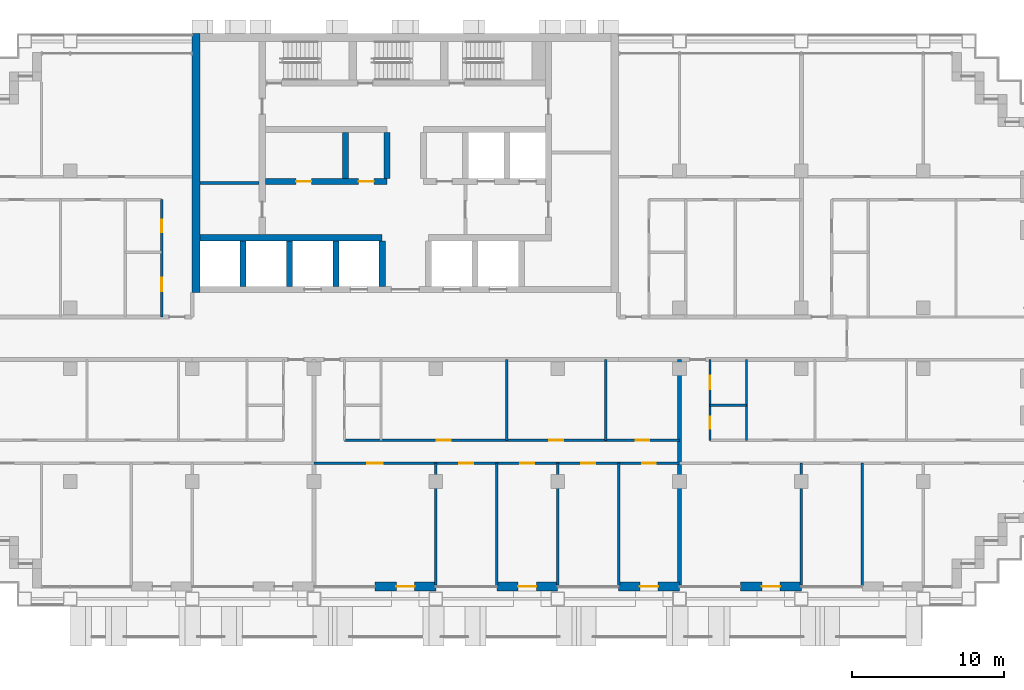
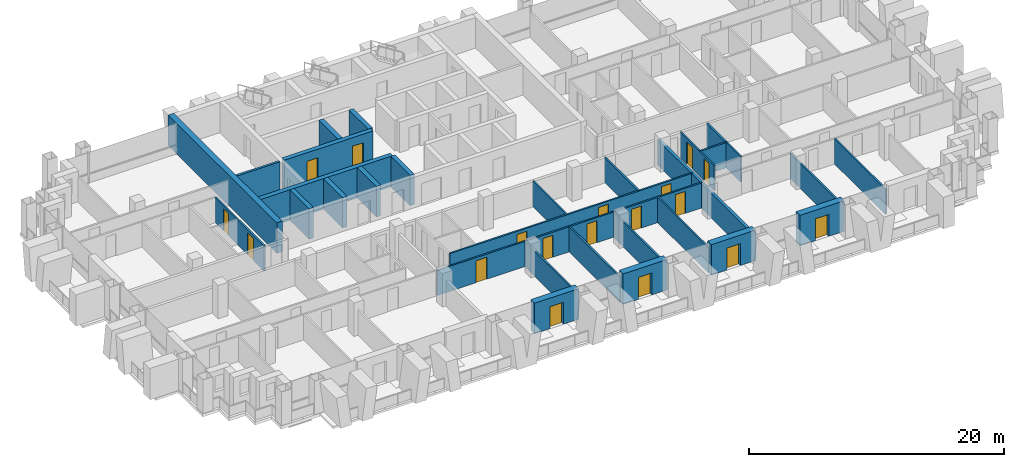
# One storey, part 10 of 17: 29 walls, 18 doors, 18 openings.
"""IFC4 building model written with IfcOpenShell, lengths in metres."""

from ifc_helpers import new_model, si_unit, direction, frame, frame_2d, origin, place, context, subcontext, project, spatial, rectangle, extrude, material, layer, layer_set, type_object, element, fill, save


model = new_model("IFC4")

# Units and contexts
model_context = context("Model", 3, precision=1e-05, world=origin(), true_north=direction((0.0, 1.0)))
body_context = subcontext(model_context, "Body", "Model", "MODEL_VIEW")
ifc_project = project(units=[si_unit("LENGTHUNIT", "METRE"), si_unit("AREAUNIT", "SQUARE_METRE"), si_unit("VOLUMEUNIT", "CUBIC_METRE"), si_unit("PLANEANGLEUNIT", "RADIAN"), si_unit("MASSUNIT", "GRAM", prefix="KILO")], contexts=[model_context])

# Site, building, storey
site_placement = place(None, origin())
site = spatial("IfcSite", under=ifc_project, at=site_placement, CompositionType="ELEMENT")
building_placement = place(site_placement, origin())
building = spatial("IfcBuilding", under=site, at=building_placement, Name="Vidyagriha Tower", CompositionType="ELEMENT")
storey_placement = place(building_placement, frame((0.0, 0.0, 96.699951171875)))
storey = spatial("IfcBuildingStorey", under=building, at=storey_placement, Name="L25", CompositionType="ELEMENT", Elevation=96.699951171875)

# Wall, opening, door
ifc_material_1 = material(Name="Precast concrete C40/50 with brick facing", Category="concrete")
ifc_layer_1 = layer(ifc_material_1, 0.60009765625)
ifc_layer_set_1 = layer_set([ifc_layer_1], Name="Precast concrete C40/50 with brick facing")
wall_type_1 = type_object("IfcWallType", Name="Brick-faced precast wall 600", PredefinedType="STANDARD", material=ifc_layer_set_1)
wall_1_placement = place(storey_placement, frame((-2.0, -16.300048828125, 0.0)))
wall_1 = element("IfcWall", 1, at=wall_1_placement, inside=storey, type_object=wall_type_1, Name="Brick door bay wall L25 R23.7", PredefinedType="STANDARD", context=body_context, shape_type="SweptSolid", body=[
    extrude(rectangle(XDim=4.0, YDim=0.60009765625, at=frame_2d((2.0, 0.0))), origin(), (0.0, 0.0, 1.0), 2.920166015625),
])
opening_1_placement = place(wall_1_placement, frame((1.39990234375, 0.0, 0.0)))
opening_1 = element("IfcOpeningElement", 2, at=opening_1_placement, cuts=wall_1, Name="Opening D25-70", PredefinedType="OPENING", context=body_context, shape_type="SweptSolid", body=[
    extrude(rectangle(XDim=1.199951171875, YDim=2.10009765625, at=frame_2d((0.60009765625, 1.050048828125))), frame((0.0, 0.31005859375, 0.0), z_axis=(0.0, -1.0, 0.0), x_axis=(1.0, 0.0, 0.0)), (0.0, 0.0, 1.0), 0.6201171875),
])
ifc_material_2 = material(Name="Aluminium framed glazed sliding door", Category="aluminium")
door_type_1 = type_object("IfcDoorType", Name="Balcony sliding door 1200x2100", OperationType="NOTDEFINED", PredefinedType="DOOR", material=ifc_material_2)
door_1_placement = place(opening_1_placement, origin())
door_1 = element("IfcDoor", 3, at=door_1_placement, inside=storey, type_object=door_type_1, Name="Door D25-70", OperationType="SLIDING_TO_LEFT", OverallHeight=2.10009765625, OverallWidth=1.199951171875, PredefinedType="DOOR", context=body_context, shape_type="SweptSolid", body=[
    extrude(rectangle(XDim=1.199951171875, YDim=2.10009765625, at=frame_2d((0.60009765625, 1.050048828125))), frame((0.0, 0.02490234375, 0.0), z_axis=(0.0, -1.0, 0.0), x_axis=(1.0, 0.0, 0.0)), (0.0, 0.0, 1.0), 0.050048828125),
])
fill(opening_1, door_1)

wall_2_placement = place(storey_placement, frame((6.0, -16.300048828125, 0.0)))
wall_2 = element("IfcWall", 4, at=wall_2_placement, inside=storey, type_object=wall_type_1, Name="Brick door bay wall L25 R23.9", PredefinedType="STANDARD", context=body_context, shape_type="SweptSolid", body=[
    extrude(rectangle(XDim=4.0, YDim=0.60009765625, at=frame_2d((2.0, 0.0))), origin(), (0.0, 0.0, 1.0), 2.920166015625),
])
opening_2_placement = place(wall_2_placement, frame((1.39990234375, 0.0, 0.0)))
opening_2 = element("IfcOpeningElement", 5, at=opening_2_placement, cuts=wall_2, Name="Opening D25-71", PredefinedType="OPENING", context=body_context, shape_type="SweptSolid", body=[
    extrude(rectangle(XDim=1.199951171875, YDim=2.10009765625, at=frame_2d((0.60009765625, 1.050048828125))), frame((0.0, 0.31005859375, 0.0), z_axis=(0.0, -1.0, 0.0), x_axis=(1.0, 0.0, 0.0)), (0.0, 0.0, 1.0), 0.6201171875),
])
door_2_placement = place(opening_2_placement, origin())
door_2 = element("IfcDoor", 6, at=door_2_placement, inside=storey, type_object=door_type_1, Name="Door D25-71", OperationType="SLIDING_TO_LEFT", OverallHeight=2.10009765625, OverallWidth=1.199951171875, PredefinedType="DOOR", context=body_context, shape_type="SweptSolid", body=[
    extrude(rectangle(XDim=1.199951171875, YDim=2.10009765625, at=frame_2d((0.60009765625, 1.050048828125))), frame((0.0, 0.02490234375, 0.0), z_axis=(0.0, -1.0, 0.0), x_axis=(1.0, 0.0, 0.0)), (0.0, 0.0, 1.0), 0.050048828125),
])
fill(opening_2, door_2)

wall_3_placement = place(storey_placement, frame((14.0, -16.300048828125, 0.0)))
wall_3 = element("IfcWall", 7, at=wall_3_placement, inside=storey, type_object=wall_type_1, Name="Brick door bay wall L25 R23.11", PredefinedType="STANDARD", context=body_context, shape_type="SweptSolid", body=[
    extrude(rectangle(XDim=4.0, YDim=0.60009765625, at=frame_2d((2.0, 0.0))), origin(), (0.0, 0.0, 1.0), 2.920166015625),
])
opening_3_placement = place(wall_3_placement, frame((1.39990234375, 0.0, 0.0)))
opening_3 = element("IfcOpeningElement", 8, at=opening_3_placement, cuts=wall_3, Name="Opening D25-72", PredefinedType="OPENING", context=body_context, shape_type="SweptSolid", body=[
    extrude(rectangle(XDim=1.199951171875, YDim=2.10009765625, at=frame_2d((0.60009765625, 1.050048828125))), frame((0.0, 0.31005859375, 0.0), z_axis=(0.0, -1.0, 0.0), x_axis=(1.0, 0.0, 0.0)), (0.0, 0.0, 1.0), 0.6201171875),
])
door_3_placement = place(opening_3_placement, origin())
door_3 = element("IfcDoor", 9, at=door_3_placement, inside=storey, type_object=door_type_1, Name="Door D25-72", OperationType="SLIDING_TO_LEFT", OverallHeight=2.10009765625, OverallWidth=1.199951171875, PredefinedType="DOOR", context=body_context, shape_type="SweptSolid", body=[
    extrude(rectangle(XDim=1.199951171875, YDim=2.10009765625, at=frame_2d((0.60009765625, 1.050048828125))), frame((0.0, 0.02490234375, 0.0), z_axis=(0.0, -1.0, 0.0), x_axis=(1.0, 0.0, 0.0)), (0.0, 0.0, 1.0), 0.050048828125),
])
fill(opening_3, door_3)

wall_4_placement = place(storey_placement, frame((22.0, -16.300048828125, 0.0)))
wall_4 = element("IfcWall", 10, at=wall_4_placement, inside=storey, type_object=wall_type_1, Name="Brick door bay wall L25 R23.13", PredefinedType="STANDARD", context=body_context, shape_type="SweptSolid", body=[
    extrude(rectangle(XDim=4.0, YDim=0.60009765625, at=frame_2d((2.0, 0.0))), origin(), (0.0, 0.0, 1.0), 2.920166015625),
])
opening_4_placement = place(wall_4_placement, frame((1.39990234375, 0.0, 0.0)))
opening_4 = element("IfcOpeningElement", 11, at=opening_4_placement, cuts=wall_4, Name="Opening D25-73", PredefinedType="OPENING", context=body_context, shape_type="SweptSolid", body=[
    extrude(rectangle(XDim=1.199951171875, YDim=2.10009765625, at=frame_2d((0.60009765625, 1.050048828125))), frame((0.0, 0.31005859375, 0.0), z_axis=(0.0, -1.0, 0.0), x_axis=(1.0, 0.0, 0.0)), (0.0, 0.0, 1.0), 0.6201171875),
])
door_4_placement = place(opening_4_placement, origin())
door_4 = element("IfcDoor", 12, at=door_4_placement, inside=storey, type_object=door_type_1, Name="Door D25-73", OperationType="SLIDING_TO_LEFT", OverallHeight=2.10009765625, OverallWidth=1.199951171875, PredefinedType="DOOR", context=body_context, shape_type="SweptSolid", body=[
    extrude(rectangle(XDim=1.199951171875, YDim=2.10009765625, at=frame_2d((0.60009765625, 1.050048828125))), frame((0.0, 0.02490234375, 0.0), z_axis=(0.0, -1.0, 0.0), x_axis=(1.0, 0.0, 0.0)), (0.0, 0.0, 1.0), 0.050048828125),
])
fill(opening_4, door_4)

# Walls
ifc_material_3 = material(Name="Concrete C60/75", Category="concrete")
ifc_layer_2 = layer(ifc_material_3, 0.39990234375)
ifc_layer_set_2 = layer_set([ifc_layer_2], Name="Concrete C60/75")
wall_type_2 = type_object("IfcWallType", Name="Core shear wall 400 mm", PredefinedType="SHEAR", material=ifc_layer_set_2)
wall_5_placement = place(storey_placement, frame((-13.5, 6.60009765625, 0.0)))
element("IfcWall", 13, at=wall_5_placement, inside=storey, type_object=wall_type_2, Name="Core lobby south wall west", PredefinedType="SHEAR", context=body_context, shape_type="SweptSolid", body=[
    extrude(rectangle(XDim=11.977783203125, YDim=0.39990234375, at=frame_2d((5.98876953125, 0.0))), origin(), (0.0, 0.0, 1.0), 2.920166015625),
])
for number, where, z_axis, x_axis, name in (
    (14, (-10.655517578125, 3.39990234375, 0.0), (0.0, 0.0, 1.0), (0.0, 1.0, 0.0), "Core bay wall S1"),
    (15, (-7.611083984375, 3.39990234375, 0.0), (0.0, 0.0, 1.0), (0.0, 1.0, 0.0), "Core bay wall S2"),
    (16, (-4.566650390625, 3.39990234375, 0.0), (0.0, 0.0, 1.0), (0.0, 1.0, 0.0), "Core bay wall S3"),
    (17, (-1.522216796875, 3.39990234375, 0.0), (0.0, 0.0, 1.0), (0.0, 1.0, 0.0), "Core bay wall S4"),
):
    element("IfcWall", number, at=place(storey_placement, frame(where, z_axis=z_axis, x_axis=x_axis)), inside=storey, type_object=wall_type_2, Name=name, PredefinedType="SHEAR", context=body_context, shape_type="SweptSolid", body=[
        extrude(rectangle(XDim=3.0, YDim=0.39990234375, at=frame_2d((1.5, 0.0))), origin(), (0.0, 0.0, 1.0), 2.920166015625),
    ])

# Wall, openings, doors
wall_6_placement = place(storey_placement, frame((-9.199951171875, 10.300048828125, 0.0)))
wall_6 = element("IfcWall", 18, at=wall_6_placement, inside=storey, type_object=wall_type_2, Name="Core row N front wall", PredefinedType="SHEAR", context=body_context, shape_type="SweptSolid", body=[
    extrude(rectangle(XDim=8.0, YDim=0.39990234375, at=frame_2d((4.0, 0.0))), origin(), (0.0, 0.0, 1.0), 2.920166015625),
])
opening_5_placement = place(wall_6_placement, frame((2.033203125, 0.0, 0.0)))
opening_5 = element("IfcOpeningElement", 19, at=opening_5_placement, cuts=wall_6, Name="Opening D25-02", PredefinedType="OPENING", context=body_context, shape_type="SweptSolid", body=[
    extrude(rectangle(XDim=1.0, YDim=2.10009765625, at=frame_2d((0.5, 1.050048828125))), frame((0.0, 0.2099609375, 0.0), z_axis=(0.0, -1.0, 0.0), x_axis=(1.0, 0.0, 0.0)), (0.0, 0.0, 1.0), 0.419921875),
])
opening_6_placement = place(wall_6_placement, frame((6.13330078125, 0.0, 0.0)))
opening_6 = element("IfcOpeningElement", 20, at=opening_6_placement, cuts=wall_6, Name="Opening D25-03", PredefinedType="OPENING", context=body_context, shape_type="SweptSolid", body=[
    extrude(rectangle(XDim=1.0, YDim=2.10009765625, at=frame_2d((0.5, 1.050048828125))), frame((0.0, 0.2099609375, 0.0), z_axis=(0.0, -1.0, 0.0), x_axis=(1.0, 0.0, 0.0)), (0.0, 0.0, 1.0), 0.419921875),
])
ifc_material_4 = material(Name="Hollow metal door leaf")
door_type_2 = type_object("IfcDoorType", Name="Core room door 1000 x 2100 mm EI 60", OperationType="NOTDEFINED", PredefinedType="DOOR", material=ifc_material_4)
door_5_placement = place(opening_5_placement, frame((1.0, 0.0, 0.0), z_axis=(0.0, 0.0, 1.0), x_axis=(-1.0, 0.0, 0.0)))
door_5 = element("IfcDoor", 21, at=door_5_placement, inside=storey, type_object=door_type_2, Name="Door Switchgear Room 25.14", OperationType="SINGLE_SWING_RIGHT", OverallHeight=2.10009765625, OverallWidth=1.0, PredefinedType="DOOR", context=body_context, shape_type="SweptSolid", body=[
    extrude(rectangle(XDim=1.0, YDim=2.10009765625, at=frame_2d((0.5, 1.050048828125))), frame((0.0, 0.02490234375, 0.0), z_axis=(0.0, -1.0, 0.0), x_axis=(1.0, 0.0, 0.0)), (0.0, 0.0, 1.0), 0.050048828125),
])
fill(opening_5, door_5)
door_6_placement = place(opening_6_placement, frame((1.0, 0.0, 0.0), z_axis=(0.0, 0.0, 1.0), x_axis=(-1.0, 0.0, 0.0)))
door_6 = element("IfcDoor", 22, at=door_6_placement, inside=storey, type_object=door_type_2, Name="Door Storage Room 25.15", OperationType="SINGLE_SWING_LEFT", OverallHeight=2.10009765625, OverallWidth=1.0, PredefinedType="DOOR", context=body_context, shape_type="SweptSolid", body=[
    extrude(rectangle(XDim=1.0, YDim=2.10009765625, at=frame_2d((0.5, 1.050048828125))), frame((0.0, 0.02490234375, 0.0), z_axis=(0.0, -1.0, 0.0), x_axis=(1.0, 0.0, 0.0)), (0.0, 0.0, 1.0), 0.050048828125),
])
fill(opening_6, door_6)

# Walls
for number, where, z_axis, x_axis, name in (
    (23, (-3.933349609375, 10.5, 0.0), (0.0, 0.0, 1.0), (0.0, 1.0, 0.0), "Core bay wall N2"),
    (24, (-1.199951171875, 10.5, 0.0), (0.0, 0.0, 1.0), (0.0, 1.0, 0.0), "Core bay wall N3"),
):
    element("IfcWall", number, at=place(storey_placement, frame(where, z_axis=z_axis, x_axis=x_axis)), inside=storey, type_object=wall_type_2, Name=name, PredefinedType="SHEAR", context=body_context, shape_type="SweptSolid", body=[
        extrude(rectangle(XDim=3.0, YDim=0.39990234375, at=frame_2d((1.5, 0.0))), origin(), (0.0, 0.0, 1.0), 2.920166015625),
    ])
ifc_material_5 = material(Name="Concrete C60/75", Category="concrete")
ifc_layer_3 = layer(ifc_material_5, 0.5)
ifc_layer_set_3 = layer_set([ifc_layer_3], Name="Concrete C60/75")
wall_type_3 = type_object("IfcWallType", Name="Core shear wall 500 mm", PredefinedType="SHEAR", material=ifc_layer_set_3)
wall_7_placement = place(storey_placement, frame((-13.75, 3.0, 0.0), z_axis=(0.0, 0.0, 1.0), x_axis=(0.0, 1.0, 0.0)))
element("IfcWall", 25, at=wall_7_placement, inside=storey, type_object=wall_type_3, Name="Core west wall", PredefinedType="SHEAR", context=body_context, shape_type="SweptSolid", body=[
    extrude(rectangle(XDim=17.0, YDim=0.5, at=frame_2d((8.5, 0.0))), origin(), (0.0, 0.0, 1.0), 2.920166015625),
])
ifc_material_6 = material(Name="Fired clay brick masonry", Category="masonry")
ifc_layer_4 = layer(ifc_material_6, 0.25)
ifc_layer_set_4 = layer_set([ifc_layer_4], Name="Fired clay brick masonry")
wall_type_4 = type_object("IfcWallType", Name="Fired clay brick demising wall 250", PredefinedType="PARTITIONING", material=ifc_layer_set_4)
wall_8_placement = place(storey_placement, frame((18.0, -1.39990234375, 0.0), z_axis=(0.0, 0.0, 1.0), x_axis=(0.0, -1.0, 0.0)))
element("IfcWall", 26, at=wall_8_placement, inside=storey, type_object=wall_type_4, Name="Wall all-L25-w064", PredefinedType="PARTITIONING", context=body_context, shape_type="SweptSolid", body=[
    extrude(rectangle(XDim=14.81005859375, YDim=0.25, at=frame_2d((7.405029296875, 0.0))), origin(), (0.0, 0.0, 1.0), 2.400146484375),
])
ifc_material_7 = material(Name="Gypsum board partition")
ifc_layer_5 = layer(ifc_material_7, 0.14990234375)
ifc_layer_set_5 = layer_set([ifc_layer_5], Name="Gypsum board partition")
wall_type_5 = type_object("IfcWallType", Name="Gypsum board partition 150", PredefinedType="PARTITIONING", material=ifc_layer_set_5)
for number, where, z_axis, x_axis, name in (
    (27, (6.64990234375, -1.39990234375, 0.0), (0.0, 0.0, 1.0), (0.0, -1.0, 0.0), "Wall all-L25-w026"),
    (28, (13.14990234375, -1.39990234375, 0.0), (0.0, 0.0, 1.0), (0.0, -1.0, 0.0), "Wall all-L25-w027"),
):
    element("IfcWall", number, at=place(storey_placement, frame(where, z_axis=z_axis, x_axis=x_axis)), inside=storey, type_object=wall_type_5, Name=name, PredefinedType="PARTITIONING", context=body_context, shape_type="SweptSolid", body=[
        extrude(rectangle(XDim=5.300048828125, YDim=0.14990234375, at=frame_2d((2.64990234375, 0.0))), origin(), (0.0, 0.0, 1.0), 2.400146484375),
    ])

# Wall, openings, doors
wall_9_placement = place(storey_placement, frame((-4.0, -6.699951171875, 0.0)))
wall_9 = element("IfcWall", 29, at=wall_9_placement, inside=storey, type_object=wall_type_5, Name="Wall all-L25-w028", PredefinedType="PARTITIONING", context=body_context, shape_type="SweptSolid", body=[
    extrude(rectangle(XDim=22.0, YDim=0.14990234375, at=frame_2d((11.0, 0.0))), origin(), (0.0, 0.0, 1.0), 2.400146484375),
])
opening_7_placement = place(wall_9_placement, frame((6.074951171875, 0.0, 0.0)))
opening_7 = element("IfcOpeningElement", 30, at=opening_7_placement, cuts=wall_9, Name="Opening D25-25", PredefinedType="OPENING", context=body_context, shape_type="SweptSolid", body=[
    extrude(rectangle(XDim=0.89990234375, YDim=2.10009765625, at=frame_2d((0.449951171875, 1.050048828125))), frame((0.0, 0.0849609375, 0.0), z_axis=(0.0, -1.0, 0.0), x_axis=(1.0, 0.0, 0.0)), (0.0, 0.0, 1.0), 0.169921875),
])
opening_8_placement = place(wall_9_placement, frame((13.449951171875, 0.0, 0.0)))
opening_8 = element("IfcOpeningElement", 31, at=opening_8_placement, cuts=wall_9, Name="Opening D25-26", PredefinedType="OPENING", context=body_context, shape_type="SweptSolid", body=[
    extrude(rectangle(XDim=0.89990234375, YDim=2.10009765625, at=frame_2d((0.449951171875, 1.050048828125))), frame((0.0, 0.0849609375, 0.0), z_axis=(0.0, -1.0, 0.0), x_axis=(1.0, 0.0, 0.0)), (0.0, 0.0, 1.0), 0.169921875),
])
opening_9_placement = place(wall_9_placement, frame((19.125, 0.0, 0.0)))
opening_9 = element("IfcOpeningElement", 32, at=opening_9_placement, cuts=wall_9, Name="Opening D25-27", PredefinedType="OPENING", context=body_context, shape_type="SweptSolid", body=[
    extrude(rectangle(XDim=0.89990234375, YDim=2.10009765625, at=frame_2d((0.449951171875, 1.050048828125))), frame((0.0, 0.0849609375, 0.0), z_axis=(0.0, -1.0, 0.0), x_axis=(1.0, 0.0, 0.0)), (0.0, 0.0, 1.0), 0.169921875),
])
ifc_material_8 = material(Name="Timber door leaf", Category="wood")
door_type_3 = type_object("IfcDoorType", Name="Room door 900x2100", OperationType="NOTDEFINED", PredefinedType="DOOR", material=ifc_material_8)
door_7_placement = place(opening_7_placement, origin())
door_7 = element("IfcDoor", 33, at=door_7_placement, inside=storey, type_object=door_type_3, Name="Door D25-25", OperationType="SINGLE_SWING_RIGHT", OverallHeight=2.10009765625, OverallWidth=0.89990234375, PredefinedType="DOOR", context=body_context, shape_type="SweptSolid", body=[
    extrude(rectangle(XDim=0.89990234375, YDim=2.10009765625, at=frame_2d((0.449951171875, 1.050048828125))), frame((0.0, 0.02490234375, 0.0), z_axis=(0.0, -1.0, 0.0), x_axis=(1.0, 0.0, 0.0)), (0.0, 0.0, 1.0), 0.050048828125),
])
fill(opening_7, door_7)
door_8_placement = place(opening_8_placement, origin())
door_8 = element("IfcDoor", 34, at=door_8_placement, inside=storey, type_object=door_type_3, Name="Door D25-26", OperationType="SINGLE_SWING_RIGHT", OverallHeight=2.10009765625, OverallWidth=0.89990234375, PredefinedType="DOOR", context=body_context, shape_type="SweptSolid", body=[
    extrude(rectangle(XDim=0.89990234375, YDim=2.10009765625, at=frame_2d((0.449951171875, 1.050048828125))), frame((0.0, 0.02490234375, 0.0), z_axis=(0.0, -1.0, 0.0), x_axis=(1.0, 0.0, 0.0)), (0.0, 0.0, 1.0), 0.050048828125),
])
fill(opening_8, door_8)
door_9_placement = place(opening_9_placement, origin())
door_9 = element("IfcDoor", 35, at=door_9_placement, inside=storey, type_object=door_type_3, Name="Door D25-27", OperationType="SINGLE_SWING_LEFT", OverallHeight=2.10009765625, OverallWidth=0.89990234375, PredefinedType="DOOR", context=body_context, shape_type="SweptSolid", body=[
    extrude(rectangle(XDim=0.89990234375, YDim=2.10009765625, at=frame_2d((0.449951171875, 1.050048828125))), frame((0.0, 0.02490234375, 0.0), z_axis=(0.0, -1.0, 0.0), x_axis=(1.0, 0.0, 0.0)), (0.0, 0.0, 1.0), 0.050048828125),
])
fill(opening_9, door_9)

wall_10_placement = place(storey_placement, frame((18.0, -8.199951171875, 0.0), z_axis=(0.0, 0.0, 1.0), x_axis=(-1.0, 0.0, 0.0)))
wall_10 = element("IfcWall", 36, at=wall_10_placement, inside=storey, type_object=wall_type_5, Name="Wall all-L25-w032", PredefinedType="PARTITIONING", context=body_context, shape_type="SweptSolid", body=[
    extrude(rectangle(XDim=24.0, YDim=0.14990234375, at=frame_2d((12.0, 0.0))), origin(), (0.0, 0.0, 1.0), 2.400146484375),
])
opening_10_placement = place(wall_10_placement, frame((19.5, 0.0, 0.0)))
opening_10 = element("IfcOpeningElement", 37, at=opening_10_placement, cuts=wall_10, Name="Opening D25-28", PredefinedType="OPENING", context=body_context, shape_type="SweptSolid", body=[
    extrude(rectangle(XDim=1.0, YDim=2.10009765625, at=frame_2d((0.5, 1.050048828125))), frame((0.0, 0.0849609375, 0.0), z_axis=(0.0, -1.0, 0.0), x_axis=(1.0, 0.0, 0.0)), (0.0, 0.0, 1.0), 0.169921875),
])
opening_11_placement = place(wall_10_placement, frame((13.550048828125, 0.0, 0.0)))
opening_11 = element("IfcOpeningElement", 38, at=opening_11_placement, cuts=wall_10, Name="Opening D25-29", PredefinedType="OPENING", context=body_context, shape_type="SweptSolid", body=[
    extrude(rectangle(XDim=0.89990234375, YDim=2.10009765625, at=frame_2d((0.449951171875, 1.050048828125))), frame((0.0, 0.0849609375, 0.0), z_axis=(0.0, -1.0, 0.0), x_axis=(1.0, 0.0, 0.0)), (0.0, 0.0, 1.0), 0.169921875),
])
opening_12_placement = place(wall_10_placement, frame((9.550048828125, 0.0, 0.0)))
opening_12 = element("IfcOpeningElement", 39, at=opening_12_placement, cuts=wall_10, Name="Opening D25-30", PredefinedType="OPENING", context=body_context, shape_type="SweptSolid", body=[
    extrude(rectangle(XDim=0.89990234375, YDim=2.10009765625, at=frame_2d((0.449951171875, 1.050048828125))), frame((0.0, 0.0849609375, 0.0), z_axis=(0.0, -1.0, 0.0), x_axis=(1.0, 0.0, 0.0)), (0.0, 0.0, 1.0), 0.169921875),
])
opening_13_placement = place(wall_10_placement, frame((5.550048828125, 0.0, 0.0)))
opening_13 = element("IfcOpeningElement", 40, at=opening_13_placement, cuts=wall_10, Name="Opening D25-31", PredefinedType="OPENING", context=body_context, shape_type="SweptSolid", body=[
    extrude(rectangle(XDim=0.89990234375, YDim=2.10009765625, at=frame_2d((0.449951171875, 1.050048828125))), frame((0.0, 0.0849609375, 0.0), z_axis=(0.0, -1.0, 0.0), x_axis=(1.0, 0.0, 0.0)), (0.0, 0.0, 1.0), 0.169921875),
])
opening_14_placement = place(wall_10_placement, frame((1.550048828125, 0.0, 0.0)))
opening_14 = element("IfcOpeningElement", 41, at=opening_14_placement, cuts=wall_10, Name="Opening D25-32", PredefinedType="OPENING", context=body_context, shape_type="SweptSolid", body=[
    extrude(rectangle(XDim=0.89990234375, YDim=2.10009765625, at=frame_2d((0.449951171875, 1.050048828125))), frame((0.0, 0.0849609375, 0.0), z_axis=(0.0, -1.0, 0.0), x_axis=(1.0, 0.0, 0.0)), (0.0, 0.0, 1.0), 0.169921875),
])
ifc_material_9 = material(Name="Timber door leaf", Category="wood")
door_type_4 = type_object("IfcDoorType", Name="Room door 1000x2100", OperationType="NOTDEFINED", PredefinedType="DOOR", material=ifc_material_9)
door_10_placement = place(opening_10_placement, origin())
door_10 = element("IfcDoor", 42, at=door_10_placement, inside=storey, type_object=door_type_4, Name="Door D25-28", OperationType="SINGLE_SWING_RIGHT", OverallHeight=2.10009765625, OverallWidth=1.0, PredefinedType="DOOR", context=body_context, shape_type="SweptSolid", body=[
    extrude(rectangle(XDim=1.0, YDim=2.10009765625, at=frame_2d((0.5, 1.050048828125))), frame((0.0, 0.02490234375, 0.0), z_axis=(0.0, -1.0, 0.0), x_axis=(1.0, 0.0, 0.0)), (0.0, 0.0, 1.0), 0.050048828125),
])
fill(opening_10, door_10)
door_11_placement = place(opening_11_placement, origin())
door_11 = element("IfcDoor", 43, at=door_11_placement, inside=storey, type_object=door_type_3, Name="Door D25-29", OperationType="SINGLE_SWING_RIGHT", OverallHeight=2.10009765625, OverallWidth=0.89990234375, PredefinedType="DOOR", context=body_context, shape_type="SweptSolid", body=[
    extrude(rectangle(XDim=0.89990234375, YDim=2.10009765625, at=frame_2d((0.449951171875, 1.050048828125))), frame((0.0, 0.02490234375, 0.0), z_axis=(0.0, -1.0, 0.0), x_axis=(1.0, 0.0, 0.0)), (0.0, 0.0, 1.0), 0.050048828125),
])
fill(opening_11, door_11)
door_12_placement = place(opening_12_placement, origin())
door_12 = element("IfcDoor", 44, at=door_12_placement, inside=storey, type_object=door_type_3, Name="Door D25-30", OperationType="SINGLE_SWING_RIGHT", OverallHeight=2.10009765625, OverallWidth=0.89990234375, PredefinedType="DOOR", context=body_context, shape_type="SweptSolid", body=[
    extrude(rectangle(XDim=0.89990234375, YDim=2.10009765625, at=frame_2d((0.449951171875, 1.050048828125))), frame((0.0, 0.02490234375, 0.0), z_axis=(0.0, -1.0, 0.0), x_axis=(1.0, 0.0, 0.0)), (0.0, 0.0, 1.0), 0.050048828125),
])
fill(opening_12, door_12)
door_13_placement = place(opening_13_placement, origin())
door_13 = element("IfcDoor", 45, at=door_13_placement, inside=storey, type_object=door_type_3, Name="Door D25-31", OperationType="SINGLE_SWING_RIGHT", OverallHeight=2.10009765625, OverallWidth=0.89990234375, PredefinedType="DOOR", context=body_context, shape_type="SweptSolid", body=[
    extrude(rectangle(XDim=0.89990234375, YDim=2.10009765625, at=frame_2d((0.449951171875, 1.050048828125))), frame((0.0, 0.02490234375, 0.0), z_axis=(0.0, -1.0, 0.0), x_axis=(1.0, 0.0, 0.0)), (0.0, 0.0, 1.0), 0.050048828125),
])
fill(opening_13, door_13)
door_14_placement = place(opening_14_placement, origin())
door_14 = element("IfcDoor", 46, at=door_14_placement, inside=storey, type_object=door_type_3, Name="Door D25-32", OperationType="SINGLE_SWING_RIGHT", OverallHeight=2.10009765625, OverallWidth=0.89990234375, PredefinedType="DOOR", context=body_context, shape_type="SweptSolid", body=[
    extrude(rectangle(XDim=0.89990234375, YDim=2.10009765625, at=frame_2d((0.449951171875, 1.050048828125))), frame((0.0, 0.02490234375, 0.0), z_axis=(0.0, -1.0, 0.0), x_axis=(1.0, 0.0, 0.0)), (0.0, 0.0, 1.0), 0.050048828125),
])
fill(opening_14, door_14)

# Walls
wall_11_placement = place(storey_placement, frame((2.0, -8.199951171875, 0.0), z_axis=(0.0, 0.0, 1.0), x_axis=(0.0, -1.0, 0.0)))
element("IfcWall", 47, at=wall_11_placement, inside=storey, type_object=wall_type_5, Name="Wall all-L25-w038", PredefinedType="PARTITIONING", context=body_context, shape_type="SweptSolid", body=[
    extrude(rectangle(XDim=8.010009765625, YDim=0.14990234375, at=frame_2d((4.0048828125, 0.0))), origin(), (0.0, 0.0, 1.0), 2.400146484375),
])
wall_12_placement = place(storey_placement, frame((6.0, -8.199951171875, 0.0), z_axis=(0.0, 0.0, 1.0), x_axis=(0.0, -1.0, 0.0)))
element("IfcWall", 48, at=wall_12_placement, inside=storey, type_object=wall_type_5, Name="Wall all-L25-w039", PredefinedType="PARTITIONING", context=body_context, shape_type="SweptSolid", body=[
    extrude(rectangle(XDim=8.02099609375, YDim=0.14990234375, at=frame_2d((4.010498046875, 0.0))), origin(), (0.0, 0.0, 1.0), 2.400146484375),
])
wall_13_placement = place(storey_placement, frame((10.0, -8.199951171875, 0.0), z_axis=(0.0, 0.0, 1.0), x_axis=(0.0, -1.0, 0.0)))
element("IfcWall", 49, at=wall_13_placement, inside=storey, type_object=wall_type_5, Name="Wall all-L25-w040", PredefinedType="PARTITIONING", context=body_context, shape_type="SweptSolid", body=[
    extrude(rectangle(XDim=8.010009765625, YDim=0.14990234375, at=frame_2d((4.0048828125, 0.0))), origin(), (0.0, 0.0, 1.0), 2.400146484375),
])
wall_14_placement = place(storey_placement, frame((14.0, -8.199951171875, 0.0), z_axis=(0.0, 0.0, 1.0), x_axis=(0.0, -1.0, 0.0)))
element("IfcWall", 50, at=wall_14_placement, inside=storey, type_object=wall_type_5, Name="Wall all-L25-w041", PredefinedType="PARTITIONING", context=body_context, shape_type="SweptSolid", body=[
    extrude(rectangle(XDim=8.02099609375, YDim=0.14990234375, at=frame_2d((4.010498046875, 0.0))), origin(), (0.0, 0.0, 1.0), 2.400146484375),
])
wall_15_placement = place(storey_placement, frame((22.39990234375, -4.39990234375, 0.0), z_axis=(0.0, 0.0, 1.0), x_axis=(-1.0, 0.0, 0.0)))
element("IfcWall", 51, at=wall_15_placement, inside=storey, type_object=wall_type_5, Name="Wall all-L25-w047", PredefinedType="PARTITIONING", context=body_context, shape_type="SweptSolid", body=[
    extrude(rectangle(XDim=2.39990234375, YDim=0.14990234375, at=frame_2d((1.199951171875, 0.0))), origin(), (0.0, 0.0, 1.0), 2.400146484375),
])
wall_16_placement = place(storey_placement, frame((22.39990234375, -1.39990234375, 0.0), z_axis=(0.0, 0.0, 1.0), x_axis=(0.0, -1.0, 0.0)))
element("IfcWall", 52, at=wall_16_placement, inside=storey, type_object=wall_type_5, Name="Wall all-L25-w048", PredefinedType="PARTITIONING", context=body_context, shape_type="SweptSolid", body=[
    extrude(rectangle(XDim=5.300048828125, YDim=0.14990234375, at=frame_2d((2.64990234375, 0.0))), origin(), (0.0, 0.0, 1.0), 2.400146484375),
])
wall_17_placement = place(storey_placement, frame((26.0, -8.199951171875, 0.0), z_axis=(0.0, 0.0, 1.0), x_axis=(0.0, -1.0, 0.0)))
element("IfcWall", 53, at=wall_17_placement, inside=storey, type_object=wall_type_5, Name="Wall all-L25-w060", PredefinedType="PARTITIONING", context=body_context, shape_type="SweptSolid", body=[
    extrude(rectangle(XDim=8.010009765625, YDim=0.14990234375, at=frame_2d((4.0048828125, 0.0))), origin(), (0.0, 0.0, 1.0), 2.400146484375),
])
wall_18_placement = place(storey_placement, frame((30.0, -8.199951171875, 0.0), z_axis=(0.0, 0.0, 1.0), x_axis=(0.0, -1.0, 0.0)))
element("IfcWall", 54, at=wall_18_placement, inside=storey, type_object=wall_type_5, Name="Wall all-L25-w061", PredefinedType="PARTITIONING", context=body_context, shape_type="SweptSolid", body=[
    extrude(rectangle(XDim=8.02099609375, YDim=0.14990234375, at=frame_2d((4.010498046875, 0.0))), origin(), (0.0, 0.0, 1.0), 2.400146484375),
])

# Wall, openings, doors
ifc_material_10 = material(Name="Moisture resistant gypsum board partition")
ifc_layer_6 = layer(ifc_material_10, 0.14990234375)
ifc_layer_set_6 = layer_set([ifc_layer_6], Name="Moisture resistant gypsum board partition")
wall_type_6 = type_object("IfcWallType", Name="Gypsum board wet-area partition 150", PredefinedType="PARTITIONING", material=ifc_layer_set_6)
wall_19_placement = place(storey_placement, frame((20.0, -1.39990234375, 0.0), z_axis=(0.0, 0.0, 1.0), x_axis=(0.0, -1.0, 0.0)))
wall_19 = element("IfcWall", 55, at=wall_19_placement, inside=storey, type_object=wall_type_6, Name="Wall all-L25-w044", PredefinedType="PARTITIONING", context=body_context, shape_type="SweptSolid", body=[
    extrude(rectangle(XDim=5.300048828125, YDim=0.14990234375, at=frame_2d((2.64990234375, 0.0))), origin(), (0.0, 0.0, 1.0), 2.400146484375),
])
opening_15_placement = place(wall_19_placement, frame((1.050048828125, 0.0, 0.0)))
opening_15 = element("IfcOpeningElement", 56, at=opening_15_placement, cuts=wall_19, Name="Opening D25-34", PredefinedType="OPENING", context=body_context, shape_type="SweptSolid", body=[
    extrude(rectangle(XDim=0.89990234375, YDim=2.10009765625, at=frame_2d((0.449951171875, 1.050048828125))), frame((0.0, 0.0849609375, 0.0), z_axis=(0.0, -1.0, 0.0), x_axis=(1.0, 0.0, 0.0)), (0.0, 0.0, 1.0), 0.169921875),
])
opening_16_placement = place(wall_19_placement, frame((3.75, 0.0, 0.0)))
opening_16 = element("IfcOpeningElement", 57, at=opening_16_placement, cuts=wall_19, Name="Opening D25-35", PredefinedType="OPENING", context=body_context, shape_type="SweptSolid", body=[
    extrude(rectangle(XDim=0.800048828125, YDim=2.10009765625, at=frame_2d((0.39990234375, 1.050048828125))), frame((0.0, 0.0849609375, 0.0), z_axis=(0.0, -1.0, 0.0), x_axis=(1.0, 0.0, 0.0)), (0.0, 0.0, 1.0), 0.169921875),
])
ifc_material_11 = material(Name="Timber door leaf", Category="wood")
door_type_5 = type_object("IfcDoorType", Name="Bathroom door 800x2100", OperationType="NOTDEFINED", PredefinedType="DOOR", material=ifc_material_11)
door_15_placement = place(opening_16_placement, origin())
door_15 = element("IfcDoor", 58, at=door_15_placement, inside=storey, type_object=door_type_5, Name="Door D25-35", OperationType="SINGLE_SWING_RIGHT", OverallHeight=2.10009765625, OverallWidth=0.800048828125, PredefinedType="DOOR", context=body_context, shape_type="SweptSolid", body=[
    extrude(rectangle(XDim=0.800048828125, YDim=2.10009765625, at=frame_2d((0.39990234375, 1.050048828125))), frame((0.0, 0.02490234375, 0.0), z_axis=(0.0, -1.0, 0.0), x_axis=(1.0, 0.0, 0.0)), (0.0, 0.0, 1.0), 0.050048828125),
])
fill(opening_16, door_15)
ifc_material_12 = material(Name="Timber door leaf", Category="wood")
door_type_6 = type_object("IfcDoorType", Name="Kitchen door 900x2100", OperationType="NOTDEFINED", PredefinedType="DOOR", material=ifc_material_12)
door_16_placement = place(opening_15_placement, origin())
door_16 = element("IfcDoor", 59, at=door_16_placement, inside=storey, type_object=door_type_6, Name="Door D25-34", OperationType="SINGLE_SWING_LEFT", OverallHeight=2.10009765625, OverallWidth=0.89990234375, PredefinedType="DOOR", context=body_context, shape_type="SweptSolid", body=[
    extrude(rectangle(XDim=0.89990234375, YDim=2.10009765625, at=frame_2d((0.449951171875, 1.050048828125))), frame((0.0, 0.02490234375, 0.0), z_axis=(0.0, -1.0, 0.0), x_axis=(1.0, 0.0, 0.0)), (0.0, 0.0, 1.0), 0.050048828125),
])
fill(opening_15, door_16)

wall_20_placement = place(storey_placement, frame((-16.0, 1.39990234375, 0.0), z_axis=(0.0, 0.0, 1.0), x_axis=(0.0, 1.0, 0.0)))
wall_20 = element("IfcWall", 60, at=wall_20_placement, inside=storey, type_object=wall_type_6, Name="Wall all-L25-w068", PredefinedType="PARTITIONING", context=body_context, shape_type="SweptSolid", body=[
    extrude(rectangle(XDim=7.7001953125, YDim=0.14990234375, at=frame_2d((3.85009765625, 0.0))), origin(), (0.0, 0.0, 1.0), 2.400146484375),
])
opening_17_placement = place(wall_20_placement, frame((1.675048828125, 0.0, 0.0)))
opening_17 = element("IfcOpeningElement", 61, at=opening_17_placement, cuts=wall_20, Name="Opening D25-44", PredefinedType="OPENING", context=body_context, shape_type="SweptSolid", body=[
    extrude(rectangle(XDim=0.89990234375, YDim=2.10009765625, at=frame_2d((0.449951171875, 1.050048828125))), frame((0.0, 0.0849609375, 0.0), z_axis=(0.0, -1.0, 0.0), x_axis=(1.0, 0.0, 0.0)), (0.0, 0.0, 1.0), 0.169921875),
])
opening_18_placement = place(wall_20_placement, frame((5.574951171875, 0.0, 0.0)))
opening_18 = element("IfcOpeningElement", 62, at=opening_18_placement, cuts=wall_20, Name="Opening D25-45", PredefinedType="OPENING", context=body_context, shape_type="SweptSolid", body=[
    extrude(rectangle(XDim=0.800048828125, YDim=2.10009765625, at=frame_2d((0.39990234375, 1.050048828125))), frame((0.0, 0.0849609375, 0.0), z_axis=(0.0, -1.0, 0.0), x_axis=(1.0, 0.0, 0.0)), (0.0, 0.0, 1.0), 0.169921875),
])
door_17_placement = place(opening_18_placement, origin())
door_17 = element("IfcDoor", 63, at=door_17_placement, inside=storey, type_object=door_type_5, Name="Door D25-45", OperationType="SINGLE_SWING_RIGHT", OverallHeight=2.10009765625, OverallWidth=0.800048828125, PredefinedType="DOOR", context=body_context, shape_type="SweptSolid", body=[
    extrude(rectangle(XDim=0.800048828125, YDim=2.10009765625, at=frame_2d((0.39990234375, 1.050048828125))), frame((0.0, 0.02490234375, 0.0), z_axis=(0.0, -1.0, 0.0), x_axis=(1.0, 0.0, 0.0)), (0.0, 0.0, 1.0), 0.050048828125),
])
fill(opening_18, door_17)
door_18_placement = place(opening_17_placement, origin())
door_18 = element("IfcDoor", 64, at=door_18_placement, inside=storey, type_object=door_type_6, Name="Door D25-44", OperationType="SINGLE_SWING_LEFT", OverallHeight=2.10009765625, OverallWidth=0.89990234375, PredefinedType="DOOR", context=body_context, shape_type="SweptSolid", body=[
    extrude(rectangle(XDim=0.89990234375, YDim=2.10009765625, at=frame_2d((0.449951171875, 1.050048828125))), frame((0.0, 0.02490234375, 0.0), z_axis=(0.0, -1.0, 0.0), x_axis=(1.0, 0.0, 0.0)), (0.0, 0.0, 1.0), 0.050048828125),
])
fill(opening_17, door_18)

# Wall
ifc_material_13 = material(Name="Blockwork 15 MPa", Category="masonry")
ifc_layer_7 = layer(ifc_material_13, 0.199951171875)
ifc_layer_set_7 = layer_set([ifc_layer_7], Name="Blockwork 15 MPa")
wall_type_7 = type_object("IfcWallType", Name="Service room partition 200 mm", PredefinedType="PARTITIONING", material=ifc_layer_set_7)
wall_21_placement = place(storey_placement, frame((-13.5, 10.199951171875, 0.0)))
element("IfcWall", 65, at=wall_21_placement, inside=storey, type_object=wall_type_7, Name="Core room partition W1", PredefinedType="PARTITIONING", context=body_context, shape_type="SweptSolid", body=[
    extrude(rectangle(XDim=3.89990234375, YDim=0.199951171875, at=frame_2d((1.949951171875, 0.0))), origin(), (0.0, 0.0, 1.0), 2.920166015625),
])

save(model, "model.ifc")
